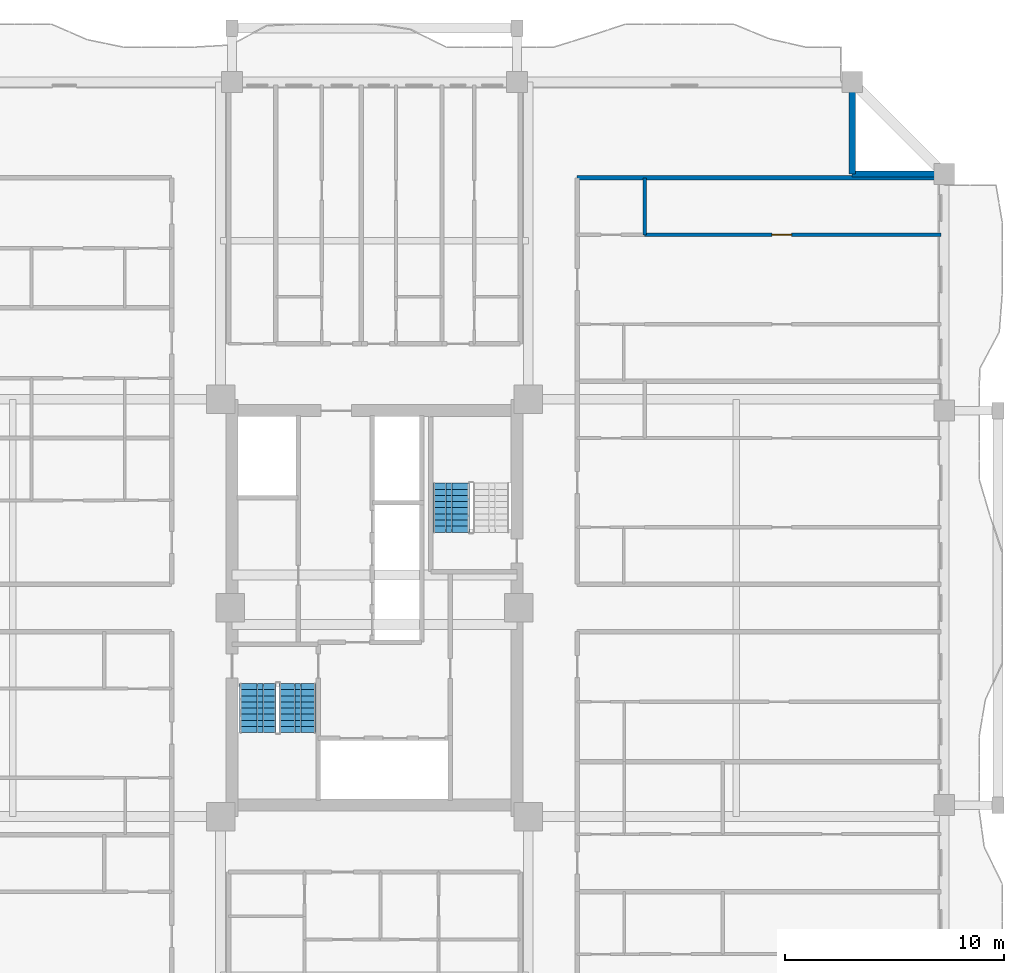
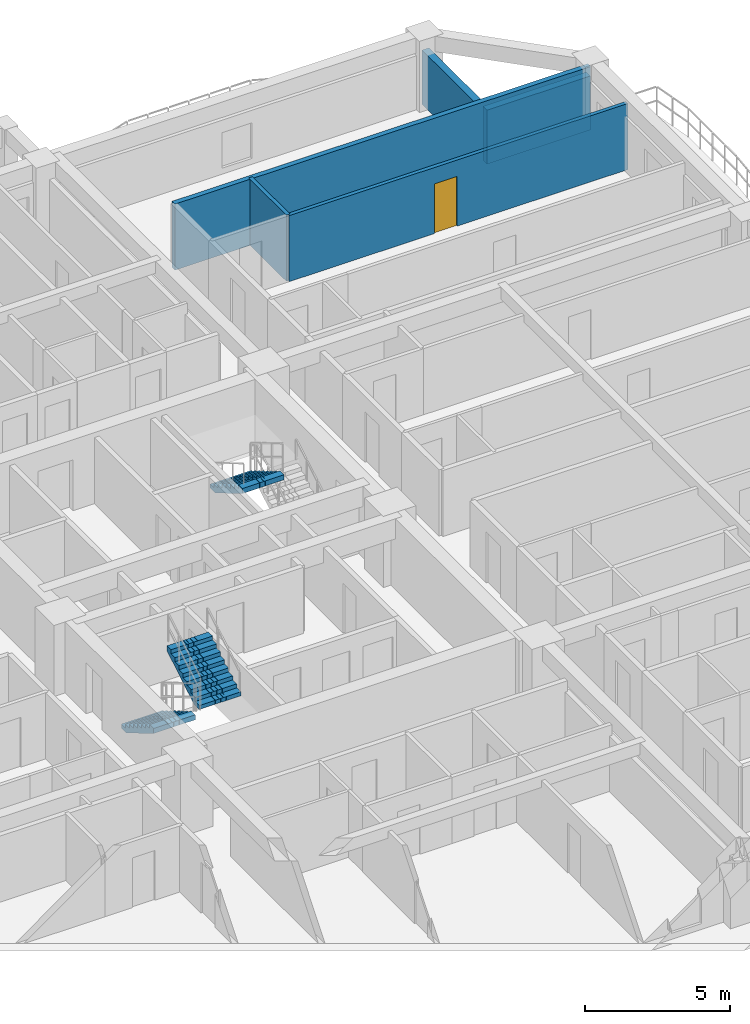
# One storey, part 9 of 14: 5 walls, 3 stair flights, 1 door, 1 opening, 2 elements without a shape of their own.
"""IFC4 building model written with IfcOpenShell, lengths in metres."""

import ifcopenshell
import ifcopenshell.guid

model = None  # the IFC model being written
_history = None  # IfcOwnerHistory: only IFC2X3 demands one
_inside = {}  # id of a spatial element -> (the spatial element, [elements in it])
_under = {}  # id of a project, library or spatial element -> (it, [spatial elements below it])
_declared = {}  # id of a project -> (the project, [libraries it declares])
_typed = {}  # id of a type object -> (the type object, [elements of that type])
_made_of = {}  # id of a material, layer set ... -> (it, [elements and type objects made of it])


def new_model(schema):
    """Start an empty IFC model of exactly this schema.

    Asked for "IFC4X3", IfcOpenShell would pick the latest addendum, in which some entities
    have other attributes; the version numbers below select the first issue.
    IFC2X3 requires an IfcOwnerHistory on every rooted entity: one is made here for all.
    """
    global model, _history
    if schema == "IFC4X3":
        model = ifcopenshell.file(schema_version=(4, 3, 0, 0))
    else:
        model = ifcopenshell.file(schema=schema)
    _inside.clear()
    _under.clear()
    _declared.clear()
    _typed.clear()
    _made_of.clear()
    _history = None
    if model.schema == "IFC2X3":
        org = make("IfcOrganization", Name="unknown")
        user = make(
            "IfcPersonAndOrganization",
            ThePerson=make("IfcPerson", FamilyName="unknown"),
            TheOrganization=org,
        )
        app = make(
            "IfcApplication",
            ApplicationDeveloper=org,
            Version="unknown",
            ApplicationFullName="unknown",
            ApplicationIdentifier="unknown",
        )
        _history = make(
            "IfcOwnerHistory",
            OwningUser=user,
            OwningApplication=app,
            ChangeAction="ADDED",
            CreationDate=0,
        )
    return model


def make(cls, **values):
    """One entity of the class cls with the attributes given. An attribute that is None is left unset."""
    return model.create_entity(
        cls, **{name: value for name, value in values.items() if value is not None}
    )


def rooted(cls, **values):
    """An entity with a GlobalId (a new one), such as an element, a storey or a relation."""
    return make(cls, GlobalId=ifcopenshell.guid.new(), OwnerHistory=_history, **values)


def si_unit(unit_type, name, prefix=None):
    """IfcSIUnit, for example si_unit("LENGTHUNIT", "METRE", prefix="MILLI")."""
    return make("IfcSIUnit", UnitType=unit_type, Prefix=prefix, Name=name)


def assignment(units):
    """IfcUnitAssignment: the units of a project."""
    return None if units is None else make("IfcUnitAssignment", Units=units)


def point(xyz):
    """IfcCartesianPoint."""
    return None if xyz is None else make("IfcCartesianPoint", Coordinates=xyz)


def direction(xyz):
    """IfcDirection."""
    return None if xyz is None else make("IfcDirection", DirectionRatios=xyz)


def frame(location, z_axis=None, x_axis=None):
    """IfcAxis2Placement3D, a coordinate frame: its origin and axes. An axis left out is left unset."""
    return make(
        "IfcAxis2Placement3D",
        Location=point(location),
        Axis=direction(z_axis),
        RefDirection=direction(x_axis),
    )


def frame_2d(location, x_axis=None):
    """IfcAxis2Placement2D, a coordinate frame in the plane: its origin and x axis."""
    return make(
        "IfcAxis2Placement2D", Location=point(location), RefDirection=direction(x_axis)
    )


def origin():
    """The frame at (0, 0, 0) with its axes left unset."""
    return frame((0.0, 0.0, 0.0))


def place(relative_to, where):
    """IfcLocalPlacement: puts the frame where relative to a parent placement (None: the world)."""
    return make(
        "IfcLocalPlacement", PlacementRelTo=relative_to, RelativePlacement=where
    )


def context(
    kind, dimensions, precision=None, world=None, true_north=None, identifier=None
):
    """IfcGeometricRepresentationContext, for example the 3D "Model" context."""
    return make(
        "IfcGeometricRepresentationContext",
        ContextIdentifier=identifier,
        ContextType=kind,
        CoordinateSpaceDimension=dimensions,
        Precision=precision,
        WorldCoordinateSystem=world,
        TrueNorth=true_north,
    )


def subcontext(parent, identifier, kind, view, scale=None):
    """IfcGeometricRepresentationSubContext, for example "Body" below "Model"."""
    return make(
        "IfcGeometricRepresentationSubContext",
        ContextIdentifier=identifier,
        ContextType=kind,
        ParentContext=parent,
        TargetScale=scale,
        TargetView=view,
    )


def project(units=None, contexts=None):
    """IfcProject with its units and contexts."""
    return rooted(
        "IfcProject",
        Name="project",
        RepresentationContexts=contexts,
        UnitsInContext=assignment(units),
    )


def spatial(cls, under=None, at=None, **own):
    """A site, building, storey or space (cls), placed at a placement, below another one or the project."""
    s = rooted(cls, ObjectPlacement=at, **own)
    if under is not None:
        _under.setdefault(under.id(), (under, []))[1].append(s)
    return s


def polyline(points):
    """IfcPolyline through the points."""
    return make("IfcPolyline", Points=[point(p) for p in points])


def profile(cls, at=None, kind="AREA", **sizes):
    """A parametric profile (cls). Its sizes go by their IFC names, for example OverallWidth=200.0."""
    return make(cls, ProfileType=kind, Position=at, **sizes)


def rectangle(**sizes):
    """IfcRectangleProfileDef."""
    return profile("IfcRectangleProfileDef", **sizes)


def outline(outer, holes=None, kind="AREA"):
    """IfcArbitraryClosedProfileDef: a profile drawn as a closed curve; with holes, ...WithVoids."""
    if holes is None:
        return make("IfcArbitraryClosedProfileDef", ProfileType=kind, OuterCurve=outer)
    return make(
        "IfcArbitraryProfileDefWithVoids",
        ProfileType=kind,
        OuterCurve=outer,
        InnerCurves=holes,
    )


def extrude(swept, where, along, depth):
    """IfcExtrudedAreaSolid: the profile swept, set in the frame where, extruded along a direction by depth."""
    return make(
        "IfcExtrudedAreaSolid",
        SweptArea=swept,
        Position=where,
        ExtrudedDirection=direction(along),
        Depth=depth,
    )


def shape(context_of_items, identifier, shape_type, items):
    """IfcShapeRepresentation: the items that make up one representation, for example the "Body"."""
    return make(
        "IfcShapeRepresentation",
        ContextOfItems=context_of_items,
        RepresentationIdentifier=identifier,
        RepresentationType=shape_type,
        Items=items,
    )


def source(mapping_origin, context_of_items, identifier, shape_type, items):
    """IfcRepresentationMap: a shape defined once, which mapped items show again and again."""
    return make(
        "IfcRepresentationMap",
        MappingOrigin=mapping_origin,
        MappedRepresentation=shape(context_of_items, identifier, shape_type, items),
    )


def transform(
    local_origin,
    x_axis=None,
    y_axis=None,
    z_axis=None,
    scale=None,
    scale2=None,
    scale3=None,
    uniform=True,
):
    """IfcCartesianTransformationOperator3D, or its non-uniform kind. x_axis, y_axis, z_axis: its Axis1, 2, 3."""
    if uniform:
        return make(
            "IfcCartesianTransformationOperator3D",
            Axis1=direction(x_axis),
            Axis2=direction(y_axis),
            LocalOrigin=point(local_origin),
            Scale=scale,
            Axis3=direction(z_axis),
        )
    return make(
        "IfcCartesianTransformationOperator3DnonUniform",
        Axis1=direction(x_axis),
        Axis2=direction(y_axis),
        LocalOrigin=point(local_origin),
        Scale=scale,
        Axis3=direction(z_axis),
        Scale2=scale2,
        Scale3=scale3,
    )


def mapped(mapping_source, mapping_target):
    """IfcMappedItem: shows the shape of a source again, moved by a transform."""
    return make(
        "IfcMappedItem", MappingSource=mapping_source, MappingTarget=mapping_target
    )


def material(Name=None, Category=None):
    """IfcMaterial."""
    return make("IfcMaterial", Name=Name, Category=Category)


def layer(
    of_material, thickness, ventilated=None, Name=None, Category=None, Priority=None
):
    """IfcMaterialLayer: one layer of a wall or slab, of a material (None: an air gap)."""
    return make(
        "IfcMaterialLayer",
        Material=of_material,
        LayerThickness=thickness,
        IsVentilated=ventilated,
        Name=Name,
        Category=Category,
        Priority=Priority,
    )


def layer_set(layers, Name=None):
    """IfcMaterialLayerSet."""
    return make("IfcMaterialLayerSet", MaterialLayers=layers, LayerSetName=Name)


def made_of(thing, what):
    """Note that an element or type object is made of a material, layer set ...; save() writes the relation."""
    if what is not None:
        _made_of.setdefault(what.id(), (what, []))[1].append(thing)
    return thing


def type_object(cls, material=None, **own):
    """A type object (cls), such as IfcWallType, which elements share."""
    return made_of(rooted(cls, **own), material)


def element(
    cls,
    number,
    at=None,
    inside=None,
    cuts=None,
    type_object=None,
    material=None,
    context=None,
    identifier="Body",
    shape_type=None,
    held_by="IfcProductDefinitionShape",
    body=None,
    shapes=None,
    **own,
):
    """One element of the class cls, such as IfcWall. Its Tag is "e" and its number.

    at: its placement. inside: the storey or other place that contains it. cuts: it is an
    opening in that element (IfcRelVoidsElement). A single representation is given by context,
    identifier, shape_type and body (its items); several are given by shapes. held_by: the class
    of the entity that holds the representations. save() writes the other relations.
    """
    e = rooted(cls, Tag="e%d" % number, ObjectPlacement=at, **own)
    if body is not None:
        shapes = [shape(context, identifier, shape_type, body)]
    if shapes is not None:
        e.Representation = make(held_by, Representations=shapes)
    if inside is not None:
        _inside.setdefault(inside.id(), (inside, []))[1].append(e)
    if cuts is not None:
        rooted(
            "IfcRelVoidsElement", RelatingBuildingElement=cuts, RelatedOpeningElement=e
        )
    if type_object is not None:
        _typed.setdefault(type_object.id(), (type_object, []))[1].append(e)
    return made_of(e, material)


def fill(opening, filler):
    """IfcRelFillsElement: the door or window that sits in an opening."""
    return rooted(
        "IfcRelFillsElement",
        RelatingOpeningElement=opening,
        RelatedBuildingElement=filler,
    )


def aggregate(whole, parts):
    """IfcRelAggregates: a whole, such as a stair, and the parts it consists of."""
    return rooted("IfcRelAggregates", RelatingObject=whole, RelatedObjects=parts)


def save(model, path):
    """Write the relations noted so far, then the file.

    IfcRelAggregates (storeys below a building ...), IfcRelContainedInSpatialStructure (elements
    in a storey), IfcRelDefinesByType, IfcRelAssociatesMaterial and IfcRelDeclares: one each for
    every whole, place, type object, material and project.
    """
    for whole, parts in _under.values():
        aggregate(whole, parts)
    for where, things in _inside.values():
        rooted(
            "IfcRelContainedInSpatialStructure",
            RelatedElements=things,
            RelatingStructure=where,
        )
    for kind, things in _typed.values():
        rooted("IfcRelDefinesByType", RelatedObjects=things, RelatingType=kind)
    for what, things in _made_of.values():
        rooted("IfcRelAssociatesMaterial", RelatedObjects=things, RelatingMaterial=what)
    for by, libraries in _declared.values():
        rooted("IfcRelDeclares", RelatingContext=by, RelatedDefinitions=libraries)
    model.write(path)


model = new_model("IFC4")

# Units and contexts
model_context = context("Model", 3, precision=1e-05, world=origin(), true_north=direction((0.0, 1.0)))
body_context = subcontext(model_context, "Body", "Model", "MODEL_VIEW")
ifc_project = project(units=[si_unit("LENGTHUNIT", "METRE"), si_unit("AREAUNIT", "SQUARE_METRE"), si_unit("VOLUMEUNIT", "CUBIC_METRE"), si_unit("PLANEANGLEUNIT", "RADIAN"), si_unit("MASSUNIT", "GRAM", prefix="KILO")], contexts=[model_context])

# Site, building, storey
site_placement = place(None, origin())
site = spatial("IfcSite", under=ifc_project, at=site_placement, CompositionType="ELEMENT")
building_placement = place(site_placement, origin())
building = spatial("IfcBuilding", under=site, at=building_placement, Name="Saelheon Loggia Tower", CompositionType="ELEMENT")
storey_placement = place(building_placement, frame((0.0, 0.0, 113.85009765625)))
storey = spatial("IfcBuildingStorey", under=building, at=storey_placement, Name="L36", CompositionType="ELEMENT", Elevation=113.85009765625)

# Walls
ifc_material_1 = material(Name="Architectural Precast Concrete C40/50", Category="concrete")
ifc_layer_1 = layer(ifc_material_1, 0.280029296875)
ifc_layer_set_1 = layer_set([ifc_layer_1], Name="Architectural Precast Concrete C40/50")
wall_type_1 = type_object("IfcWallType", Name="Wall_Ext_Loggia_280", PredefinedType="SOLIDWALL", material=ifc_layer_set_1)
for number, where, z_axis, x_axis, name in (
    (1, (59.800048828125, 46.800048828125, 0.0), (0.0, 0.0, 1.0), (0.0, 1.0, 0.0), "L36 Corner Notch Precast Wall NE1"),
    (2, (59.800048828125, 46.800048828125, 0.0), (0.0, 0.0, 1.0), (1.0, 0.0, 0.0), "L36 Corner Notch Precast Wall NE2"),
):
    element("IfcWall", number, at=place(storey_placement, frame(where, z_axis=z_axis, x_axis=x_axis)), inside=storey, type_object=wall_type_1, Name=name, PredefinedType="SOLIDWALL", context=body_context, shape_type="SweptSolid", body=[
        extrude(rectangle(XDim=4.119873046875, YDim=0.280029296875, at=frame_2d((2.06005859375, 0.0))), origin(), (0.0, 0.0, 1.0), 2.27978515625),
    ])
ifc_material_2 = material(Name="Lightweight Autoclaved Aerated Concrete Block and Acoustic Gypsum", Category="concrete")
ifc_layer_2 = layer(ifc_material_2, 0.14990234375)
ifc_layer_set_2 = layer_set([ifc_layer_2], Name="Lightweight Autoclaved Aerated Concrete Block and Acoustic Gypsum")
wall_type_2 = type_object("IfcWallType", Name="Wall_Part_150", PredefinedType="PARTITIONING", material=ifc_layer_set_2)
wall_1_placement = place(storey_placement, frame((50.330078125, 44.02001953125, 0.0), z_axis=(0.0, 0.0, 1.0), x_axis=(0.0, 1.0, 0.0)))
element("IfcWall", 3, at=wall_1_placement, inside=storey, type_object=wall_type_2, Name="L36 EN Partition V18", PredefinedType="PARTITIONING", context=body_context, shape_type="SweptSolid", body=[
    extrude(rectangle(XDim=2.60009765625, YDim=0.14990234375, at=frame_2d((1.300048828125, 0.0))), origin(), (0.0, 0.0, 1.0), 2.789794921875),
])

# Wall, opening, door
wall_2_placement = place(storey_placement, frame((50.330078125, 44.02001953125, 0.0), z_axis=(0.0, 0.0, 1.0), x_axis=(1.0, 0.0, 0.0)))
wall_2 = element("IfcWall", 4, at=wall_2_placement, inside=storey, type_object=wall_type_2, Name="L36 EN Partition U23", PredefinedType="PARTITIONING", context=body_context, shape_type="SweptSolid", body=[
    extrude(rectangle(XDim=13.52001953125, YDim=0.14990234375, at=frame_2d((6.760009765625, 0.0))), origin(), (0.0, 0.0, 1.0), 2.789794921875),
])
opening_placement = place(wall_2_placement, frame((5.80419921875, 0.0, 0.0)))
opening = element("IfcOpeningElement", 5, at=opening_placement, cuts=wall_2, Name="Opening D-IN2", PredefinedType="OPENING", context=body_context, shape_type="SweptSolid", body=[
    extrude(rectangle(XDim=0.89990234375, YDim=2.10009765625, at=frame_2d((0.449951171875, 1.050048828125))), frame((0.0, 0.0869140625, 0.0), z_axis=(0.0, -1.0, 0.0), x_axis=(1.0, 0.0, 0.0)), (0.0, 0.0, 1.0), 0.173828125),
])
ifc_material_3 = material(Name="Engineered Oak Flush Door", Category="timber")
door_type = type_object("IfcDoorType", Name="Door_Int_900", OperationType="NOTDEFINED", PredefinedType="DOOR", material=ifc_material_3)
shared_shape = source(origin(), body_context, "Body", "SweptSolid", [
    extrude(rectangle(XDim=0.89990234375, YDim=2.10009765625, at=frame_2d((0.449951171875, 1.050048828125))), frame((0.0, 0.02490234375, 0.0), z_axis=(0.0, -1.0, 0.0), x_axis=(1.0, 0.0, 0.0)), (0.0, 0.0, 1.0), 0.050048828125),
])
door_placement = place(opening_placement, origin())
door = element("IfcDoor", 6, at=door_placement, inside=storey, type_object=door_type, Name="Unit U14 Bedroom 1 Door", OperationType="SINGLE_SWING_LEFT", OverallHeight=2.10009765625, OverallWidth=0.89990234375, PredefinedType="DOOR", context=body_context, shape_type="MappedRepresentation", body=[
    mapped(shared_shape, transform((0.0, 0.0, 0.0), scale=1.0)),
])
fill(opening, door)

# Wall
ifc_material_4 = material(Name="Double Acoustic Stud and Fireboard Partition", Category="gypsum")
ifc_layer_3 = layer(ifc_material_4, 0.199951171875)
ifc_layer_set_3 = layer_set([ifc_layer_3], Name="Double Acoustic Stud and Fireboard Partition")
wall_type_3 = type_object("IfcWallType", Name="Wall_Party_200", PredefinedType="PARTITIONING", material=ifc_layer_set_3)
wall_3_placement = place(storey_placement, frame((47.25, 46.6201171875, 0.0), z_axis=(0.0, 0.0, 1.0), x_axis=(1.0, 0.0, 0.0)))
element("IfcWall", 7, at=wall_3_placement, inside=storey, type_object=wall_type_3, Name="L36 EN Partition U02", PredefinedType="PARTITIONING", context=body_context, shape_type="SweptSolid", body=[
    extrude(rectangle(XDim=16.60009765625, YDim=0.199951171875, at=frame_2d((8.300048828125, 0.0))), origin(), (0.0, 0.0, 1.0), 2.789794921875),
])

# Stair, stair flights
ifc_material_5 = material(Name="Concrete C40/50", Category="concrete")
stair_type = type_object("IfcStairType", Name="Stair_Escape_Core", PredefinedType="HALF_TURN_STAIR", material=ifc_material_5)
stair_1_placement = place(storey_placement, origin())
stair_1 = element("IfcStair", 8, at=stair_1_placement, inside=storey, type_object=stair_type, Name="L36 Special Escape Stair ST1", PredefinedType="HALF_TURN_STAIR")
stair_flight_type = type_object("IfcStairFlightType", Name="StairFlight_Tower_1660", PredefinedType="STRAIGHT", material=ifc_material_5)
stair_flight_1_placement = place(storey_placement, frame((32.679931640625, 23.550048828125, 0.0), z_axis=(0.0, 0.0, 1.0), x_axis=(0.0, -1.0, 0.0)))
stair_flight_1 = element("IfcStairFlight", 9, at=stair_flight_1_placement, type_object=stair_flight_type, Name="ST1 flight 1", NumberOfRisers=9, NumberOfTreads=8, PredefinedType="STRAIGHT", RiserHeight=0.166666667, TreadLength=0.28, context=body_context, shape_type="SweptSolid", body=[
    extrude(outline(polyline([(0.0, 0.0), (0.0, 0.166748046875), (0.280029296875, 0.166748046875), (0.280029296875, 0.333251953125), (0.56005859375, 0.333251953125), (0.56005859375, 0.5), (0.840087890625, 0.5), (0.840087890625, 0.666748046875), (1.1201171875, 0.666748046875), (1.1201171875, 0.833251953125), (1.39990234375, 0.833251953125), (1.39990234375, 1.0), (1.679931640625, 1.0), (1.679931640625, 1.166748046875), (1.9599609375, 1.166748046875), (1.9599609375, 1.333251953125), (2.239990234375, 1.333251953125), (2.239990234375, 1.5), (2.239990234375, 1.1240234375), (0.351806640625, 0.0), (0.0, 0.0)])), frame((0.0, -0.2490234375, 0.0), z_axis=(0.0, -1.0, 0.0), x_axis=(1.0, 0.0, 0.0)), (0.0, 0.0, 1.0), 0.5810546875),
    extrude(outline(polyline([(0.0, 0.0), (0.0, 0.166748046875), (0.280029296875, 0.166748046875), (0.280029296875, 0.333251953125), (0.56005859375, 0.333251953125), (0.56005859375, 0.5), (0.840087890625, 0.5), (0.840087890625, 0.666748046875), (1.1201171875, 0.666748046875), (1.1201171875, 0.833251953125), (1.39990234375, 0.833251953125), (1.39990234375, 1.0), (1.679931640625, 1.0), (1.679931640625, 1.166748046875), (1.9599609375, 1.166748046875), (1.9599609375, 1.333251953125), (2.239990234375, 1.333251953125), (2.239990234375, 1.5), (2.239990234375, 1.1240234375), (0.351806640625, 0.0), (0.0, 0.0)])), frame((0.0, -0.194091796875, 0.0), z_axis=(0.0, -1.0, 0.0), x_axis=(1.0, 0.0, 0.0)), (0.0, 0.0, 1.0), 0.0498046875),
    extrude(outline(polyline([(0.0, 0.0), (0.0, 0.166748046875), (0.280029296875, 0.166748046875), (0.280029296875, 0.333251953125), (0.56005859375, 0.333251953125), (0.56005859375, 0.5), (0.840087890625, 0.5), (0.840087890625, 0.666748046875), (1.1201171875, 0.666748046875), (1.1201171875, 0.833251953125), (1.39990234375, 0.833251953125), (1.39990234375, 1.0), (1.679931640625, 1.0), (1.679931640625, 1.166748046875), (1.9599609375, 1.166748046875), (1.9599609375, 1.333251953125), (2.239990234375, 1.333251953125), (2.239990234375, 1.5), (2.239990234375, 1.1240234375), (0.351806640625, 0.0), (0.0, 0.0)])), frame((0.0, -0.139404296875, 0.0), z_axis=(0.0, -1.0, 0.0), x_axis=(1.0, 0.0, 0.0)), (0.0, 0.0, 1.0), 0.0498046875),
    extrude(outline(polyline([(0.0, 0.0), (0.0, 0.166748046875), (0.280029296875, 0.166748046875), (0.280029296875, 0.333251953125), (0.56005859375, 0.333251953125), (0.56005859375, 0.5), (0.840087890625, 0.5), (0.840087890625, 0.666748046875), (1.1201171875, 0.666748046875), (1.1201171875, 0.833251953125), (1.39990234375, 0.833251953125), (1.39990234375, 1.0), (1.679931640625, 1.0), (1.679931640625, 1.166748046875), (1.9599609375, 1.166748046875), (1.9599609375, 1.333251953125), (2.239990234375, 1.333251953125), (2.239990234375, 1.5), (2.239990234375, 1.1240234375), (0.351806640625, 0.0), (0.0, 0.0)])), frame((0.0, -0.084716796875, 0.0), z_axis=(0.0, -1.0, 0.0), x_axis=(1.0, 0.0, 0.0)), (0.0, 0.0, 1.0), 0.0498046875),
    extrude(outline(polyline([(0.0, 0.0), (0.0, 0.166748046875), (0.280029296875, 0.166748046875), (0.280029296875, 0.333251953125), (0.56005859375, 0.333251953125), (0.56005859375, 0.5), (0.840087890625, 0.5), (0.840087890625, 0.666748046875), (1.1201171875, 0.666748046875), (1.1201171875, 0.833251953125), (1.39990234375, 0.833251953125), (1.39990234375, 1.0), (1.679931640625, 1.0), (1.679931640625, 1.166748046875), (1.9599609375, 1.166748046875), (1.9599609375, 1.333251953125), (2.239990234375, 1.333251953125), (2.239990234375, 1.5), (2.239990234375, 1.1240234375), (0.351806640625, 0.0), (0.0, 0.0)])), frame((0.0, -0.02978515625, 0.0), z_axis=(0.0, -1.0, 0.0), x_axis=(1.0, 0.0, 0.0)), (0.0, 0.0, 1.0), 0.0498046875),
    extrude(outline(polyline([(0.0, 0.0), (0.0, 0.166748046875), (0.280029296875, 0.166748046875), (0.280029296875, 0.333251953125), (0.56005859375, 0.333251953125), (0.56005859375, 0.5), (0.840087890625, 0.5), (0.840087890625, 0.666748046875), (1.1201171875, 0.666748046875), (1.1201171875, 0.833251953125), (1.39990234375, 0.833251953125), (1.39990234375, 1.0), (1.679931640625, 1.0), (1.679931640625, 1.166748046875), (1.9599609375, 1.166748046875), (1.9599609375, 1.333251953125), (2.239990234375, 1.333251953125), (2.239990234375, 1.5), (2.239990234375, 1.1240234375), (0.351806640625, 0.0), (0.0, 0.0)])), frame((0.0, 0.02490234375, 0.0), z_axis=(0.0, -1.0, 0.0), x_axis=(1.0, 0.0, 0.0)), (0.0, 0.0, 1.0), 0.0498046875),
    extrude(outline(polyline([(0.0, 0.0), (0.0, 0.166748046875), (0.280029296875, 0.166748046875), (0.280029296875, 0.333251953125), (0.56005859375, 0.333251953125), (0.56005859375, 0.5), (0.840087890625, 0.5), (0.840087890625, 0.666748046875), (1.1201171875, 0.666748046875), (1.1201171875, 0.833251953125), (1.39990234375, 0.833251953125), (1.39990234375, 1.0), (1.679931640625, 1.0), (1.679931640625, 1.166748046875), (1.9599609375, 1.166748046875), (1.9599609375, 1.333251953125), (2.239990234375, 1.333251953125), (2.239990234375, 1.5), (2.239990234375, 1.1240234375), (0.351806640625, 0.0), (0.0, 0.0)])), frame((0.0, 0.07958984375, 0.0), z_axis=(0.0, -1.0, 0.0), x_axis=(1.0, 0.0, 0.0)), (0.0, 0.0, 1.0), 0.0498046875),
    extrude(outline(polyline([(0.0, 0.0), (0.0, 0.166748046875), (0.280029296875, 0.166748046875), (0.280029296875, 0.333251953125), (0.56005859375, 0.333251953125), (0.56005859375, 0.5), (0.840087890625, 0.5), (0.840087890625, 0.666748046875), (1.1201171875, 0.666748046875), (1.1201171875, 0.833251953125), (1.39990234375, 0.833251953125), (1.39990234375, 1.0), (1.679931640625, 1.0), (1.679931640625, 1.166748046875), (1.9599609375, 1.166748046875), (1.9599609375, 1.333251953125), (2.239990234375, 1.333251953125), (2.239990234375, 1.5), (2.239990234375, 1.1240234375), (0.351806640625, 0.0), (0.0, 0.0)])), frame((0.0, 0.134521484375, 0.0), z_axis=(0.0, -1.0, 0.0), x_axis=(1.0, 0.0, 0.0)), (0.0, 0.0, 1.0), 0.0498046875),
    extrude(outline(polyline([(0.0, 0.0), (0.0, 0.166748046875), (0.280029296875, 0.166748046875), (0.280029296875, 0.333251953125), (0.56005859375, 0.333251953125), (0.56005859375, 0.5), (0.840087890625, 0.5), (0.840087890625, 0.666748046875), (1.1201171875, 0.666748046875), (1.1201171875, 0.833251953125), (1.39990234375, 0.833251953125), (1.39990234375, 1.0), (1.679931640625, 1.0), (1.679931640625, 1.166748046875), (1.9599609375, 1.166748046875), (1.9599609375, 1.333251953125), (2.239990234375, 1.333251953125), (2.239990234375, 1.5), (2.239990234375, 1.1240234375), (0.351806640625, 0.0), (0.0, 0.0)])), frame((0.0, 0.189208984375, 0.0), z_axis=(0.0, -1.0, 0.0), x_axis=(1.0, 0.0, 0.0)), (0.0, 0.0, 1.0), 0.0498046875),
    extrude(outline(polyline([(0.0, 0.0), (0.0, 0.166748046875), (0.280029296875, 0.166748046875), (0.280029296875, 0.333251953125), (0.56005859375, 0.333251953125), (0.56005859375, 0.5), (0.840087890625, 0.5), (0.840087890625, 0.666748046875), (1.1201171875, 0.666748046875), (1.1201171875, 0.833251953125), (1.39990234375, 0.833251953125), (1.39990234375, 1.0), (1.679931640625, 1.0), (1.679931640625, 1.166748046875), (1.9599609375, 1.166748046875), (1.9599609375, 1.333251953125), (2.239990234375, 1.333251953125), (2.239990234375, 1.5), (2.239990234375, 1.1240234375), (0.351806640625, 0.0), (0.0, 0.0)])), frame((0.0, 0.243896484375, 0.0), z_axis=(0.0, -1.0, 0.0), x_axis=(1.0, 0.0, 0.0)), (0.0, 0.0, 1.0), 0.0498046875),
    extrude(outline(polyline([(0.0, 0.0), (0.0, 0.166748046875), (0.280029296875, 0.166748046875), (0.280029296875, 0.333251953125), (0.56005859375, 0.333251953125), (0.56005859375, 0.5), (0.840087890625, 0.5), (0.840087890625, 0.666748046875), (1.1201171875, 0.666748046875), (1.1201171875, 0.833251953125), (1.39990234375, 0.833251953125), (1.39990234375, 1.0), (1.679931640625, 1.0), (1.679931640625, 1.166748046875), (1.9599609375, 1.166748046875), (1.9599609375, 1.333251953125), (2.239990234375, 1.333251953125), (2.239990234375, 1.5), (2.239990234375, 1.1240234375), (0.351806640625, 0.0), (0.0, 0.0)])), frame((0.0, 0.830078125, 0.0), z_axis=(0.0, -1.0, 0.0), x_axis=(1.0, 0.0, 0.0)), (0.0, 0.0, 1.0), 0.5810546875),
])
stair_flight_2_placement = place(storey_placement, frame((34.5, 21.31005859375, 1.5), z_axis=(0.0, 0.0, 1.0), x_axis=(0.0, 1.0, 0.0)))
stair_flight_2 = element("IfcStairFlight", 10, at=stair_flight_2_placement, type_object=stair_flight_type, Name="ST1 flight 2", NumberOfRisers=9, NumberOfTreads=8, PredefinedType="STRAIGHT", RiserHeight=0.166666667, TreadLength=0.28, context=body_context, shape_type="SweptSolid", body=[
    extrude(outline(polyline([(0.0, 0.0), (0.0, 0.166748046875), (0.280029296875, 0.166748046875), (0.280029296875, 0.333251953125), (0.56005859375, 0.333251953125), (0.56005859375, 0.5), (0.840087890625, 0.5), (0.840087890625, 0.666748046875), (1.1201171875, 0.666748046875), (1.1201171875, 0.833251953125), (1.39990234375, 0.833251953125), (1.39990234375, 1.0), (1.679931640625, 1.0), (1.679931640625, 1.166748046875), (1.9599609375, 1.166748046875), (1.9599609375, 1.333251953125), (2.239990234375, 1.333251953125), (2.239990234375, 1.5), (2.239990234375, 1.1240234375), (0.351806640625, 0.0), (0.0, 0.0)])), frame((0.0, -0.2490234375, 0.0), z_axis=(0.0, -1.0, 0.0), x_axis=(1.0, 0.0, 0.0)), (0.0, 0.0, 1.0), 0.5810546875),
    extrude(outline(polyline([(0.0, 0.0), (0.0, 0.166748046875), (0.280029296875, 0.166748046875), (0.280029296875, 0.333251953125), (0.56005859375, 0.333251953125), (0.56005859375, 0.5), (0.840087890625, 0.5), (0.840087890625, 0.666748046875), (1.1201171875, 0.666748046875), (1.1201171875, 0.833251953125), (1.39990234375, 0.833251953125), (1.39990234375, 1.0), (1.679931640625, 1.0), (1.679931640625, 1.166748046875), (1.9599609375, 1.166748046875), (1.9599609375, 1.333251953125), (2.239990234375, 1.333251953125), (2.239990234375, 1.5), (2.239990234375, 1.1240234375), (0.351806640625, 0.0), (0.0, 0.0)])), frame((0.0, -0.194091796875, 0.0), z_axis=(0.0, -1.0, 0.0), x_axis=(1.0, 0.0, 0.0)), (0.0, 0.0, 1.0), 0.0498046875),
    extrude(outline(polyline([(0.0, 0.0), (0.0, 0.166748046875), (0.280029296875, 0.166748046875), (0.280029296875, 0.333251953125), (0.56005859375, 0.333251953125), (0.56005859375, 0.5), (0.840087890625, 0.5), (0.840087890625, 0.666748046875), (1.1201171875, 0.666748046875), (1.1201171875, 0.833251953125), (1.39990234375, 0.833251953125), (1.39990234375, 1.0), (1.679931640625, 1.0), (1.679931640625, 1.166748046875), (1.9599609375, 1.166748046875), (1.9599609375, 1.333251953125), (2.239990234375, 1.333251953125), (2.239990234375, 1.5), (2.239990234375, 1.1240234375), (0.351806640625, 0.0), (0.0, 0.0)])), frame((0.0, -0.139404296875, 0.0), z_axis=(0.0, -1.0, 0.0), x_axis=(1.0, 0.0, 0.0)), (0.0, 0.0, 1.0), 0.0498046875),
    extrude(outline(polyline([(0.0, 0.0), (0.0, 0.166748046875), (0.280029296875, 0.166748046875), (0.280029296875, 0.333251953125), (0.56005859375, 0.333251953125), (0.56005859375, 0.5), (0.840087890625, 0.5), (0.840087890625, 0.666748046875), (1.1201171875, 0.666748046875), (1.1201171875, 0.833251953125), (1.39990234375, 0.833251953125), (1.39990234375, 1.0), (1.679931640625, 1.0), (1.679931640625, 1.166748046875), (1.9599609375, 1.166748046875), (1.9599609375, 1.333251953125), (2.239990234375, 1.333251953125), (2.239990234375, 1.5), (2.239990234375, 1.1240234375), (0.351806640625, 0.0), (0.0, 0.0)])), frame((0.0, -0.084716796875, 0.0), z_axis=(0.0, -1.0, 0.0), x_axis=(1.0, 0.0, 0.0)), (0.0, 0.0, 1.0), 0.0498046875),
    extrude(outline(polyline([(0.0, 0.0), (0.0, 0.166748046875), (0.280029296875, 0.166748046875), (0.280029296875, 0.333251953125), (0.56005859375, 0.333251953125), (0.56005859375, 0.5), (0.840087890625, 0.5), (0.840087890625, 0.666748046875), (1.1201171875, 0.666748046875), (1.1201171875, 0.833251953125), (1.39990234375, 0.833251953125), (1.39990234375, 1.0), (1.679931640625, 1.0), (1.679931640625, 1.166748046875), (1.9599609375, 1.166748046875), (1.9599609375, 1.333251953125), (2.239990234375, 1.333251953125), (2.239990234375, 1.5), (2.239990234375, 1.1240234375), (0.351806640625, 0.0), (0.0, 0.0)])), frame((0.0, -0.02978515625, 0.0), z_axis=(0.0, -1.0, 0.0), x_axis=(1.0, 0.0, 0.0)), (0.0, 0.0, 1.0), 0.0498046875),
    extrude(outline(polyline([(0.0, 0.0), (0.0, 0.166748046875), (0.280029296875, 0.166748046875), (0.280029296875, 0.333251953125), (0.56005859375, 0.333251953125), (0.56005859375, 0.5), (0.840087890625, 0.5), (0.840087890625, 0.666748046875), (1.1201171875, 0.666748046875), (1.1201171875, 0.833251953125), (1.39990234375, 0.833251953125), (1.39990234375, 1.0), (1.679931640625, 1.0), (1.679931640625, 1.166748046875), (1.9599609375, 1.166748046875), (1.9599609375, 1.333251953125), (2.239990234375, 1.333251953125), (2.239990234375, 1.5), (2.239990234375, 1.1240234375), (0.351806640625, 0.0), (0.0, 0.0)])), frame((0.0, 0.02490234375, 0.0), z_axis=(0.0, -1.0, 0.0), x_axis=(1.0, 0.0, 0.0)), (0.0, 0.0, 1.0), 0.0498046875),
    extrude(outline(polyline([(0.0, 0.0), (0.0, 0.166748046875), (0.280029296875, 0.166748046875), (0.280029296875, 0.333251953125), (0.56005859375, 0.333251953125), (0.56005859375, 0.5), (0.840087890625, 0.5), (0.840087890625, 0.666748046875), (1.1201171875, 0.666748046875), (1.1201171875, 0.833251953125), (1.39990234375, 0.833251953125), (1.39990234375, 1.0), (1.679931640625, 1.0), (1.679931640625, 1.166748046875), (1.9599609375, 1.166748046875), (1.9599609375, 1.333251953125), (2.239990234375, 1.333251953125), (2.239990234375, 1.5), (2.239990234375, 1.1240234375), (0.351806640625, 0.0), (0.0, 0.0)])), frame((0.0, 0.07958984375, 0.0), z_axis=(0.0, -1.0, 0.0), x_axis=(1.0, 0.0, 0.0)), (0.0, 0.0, 1.0), 0.0498046875),
    extrude(outline(polyline([(0.0, 0.0), (0.0, 0.166748046875), (0.280029296875, 0.166748046875), (0.280029296875, 0.333251953125), (0.56005859375, 0.333251953125), (0.56005859375, 0.5), (0.840087890625, 0.5), (0.840087890625, 0.666748046875), (1.1201171875, 0.666748046875), (1.1201171875, 0.833251953125), (1.39990234375, 0.833251953125), (1.39990234375, 1.0), (1.679931640625, 1.0), (1.679931640625, 1.166748046875), (1.9599609375, 1.166748046875), (1.9599609375, 1.333251953125), (2.239990234375, 1.333251953125), (2.239990234375, 1.5), (2.239990234375, 1.1240234375), (0.351806640625, 0.0), (0.0, 0.0)])), frame((0.0, 0.134521484375, 0.0), z_axis=(0.0, -1.0, 0.0), x_axis=(1.0, 0.0, 0.0)), (0.0, 0.0, 1.0), 0.0498046875),
    extrude(outline(polyline([(0.0, 0.0), (0.0, 0.166748046875), (0.280029296875, 0.166748046875), (0.280029296875, 0.333251953125), (0.56005859375, 0.333251953125), (0.56005859375, 0.5), (0.840087890625, 0.5), (0.840087890625, 0.666748046875), (1.1201171875, 0.666748046875), (1.1201171875, 0.833251953125), (1.39990234375, 0.833251953125), (1.39990234375, 1.0), (1.679931640625, 1.0), (1.679931640625, 1.166748046875), (1.9599609375, 1.166748046875), (1.9599609375, 1.333251953125), (2.239990234375, 1.333251953125), (2.239990234375, 1.5), (2.239990234375, 1.1240234375), (0.351806640625, 0.0), (0.0, 0.0)])), frame((0.0, 0.189208984375, 0.0), z_axis=(0.0, -1.0, 0.0), x_axis=(1.0, 0.0, 0.0)), (0.0, 0.0, 1.0), 0.0498046875),
    extrude(outline(polyline([(0.0, 0.0), (0.0, 0.166748046875), (0.280029296875, 0.166748046875), (0.280029296875, 0.333251953125), (0.56005859375, 0.333251953125), (0.56005859375, 0.5), (0.840087890625, 0.5), (0.840087890625, 0.666748046875), (1.1201171875, 0.666748046875), (1.1201171875, 0.833251953125), (1.39990234375, 0.833251953125), (1.39990234375, 1.0), (1.679931640625, 1.0), (1.679931640625, 1.166748046875), (1.9599609375, 1.166748046875), (1.9599609375, 1.333251953125), (2.239990234375, 1.333251953125), (2.239990234375, 1.5), (2.239990234375, 1.1240234375), (0.351806640625, 0.0), (0.0, 0.0)])), frame((0.0, 0.243896484375, 0.0), z_axis=(0.0, -1.0, 0.0), x_axis=(1.0, 0.0, 0.0)), (0.0, 0.0, 1.0), 0.0498046875),
    extrude(outline(polyline([(0.0, 0.0), (0.0, 0.166748046875), (0.280029296875, 0.166748046875), (0.280029296875, 0.333251953125), (0.56005859375, 0.333251953125), (0.56005859375, 0.5), (0.840087890625, 0.5), (0.840087890625, 0.666748046875), (1.1201171875, 0.666748046875), (1.1201171875, 0.833251953125), (1.39990234375, 0.833251953125), (1.39990234375, 1.0), (1.679931640625, 1.0), (1.679931640625, 1.166748046875), (1.9599609375, 1.166748046875), (1.9599609375, 1.333251953125), (2.239990234375, 1.333251953125), (2.239990234375, 1.5), (2.239990234375, 1.1240234375), (0.351806640625, 0.0), (0.0, 0.0)])), frame((0.0, 0.830078125, 0.0), z_axis=(0.0, -1.0, 0.0), x_axis=(1.0, 0.0, 0.0)), (0.0, 0.0, 1.0), 0.5810546875),
])
aggregate(stair_1, [stair_flight_1, stair_flight_2])

# Stair, stair flight
stair_2_placement = place(storey_placement, origin())
stair_2 = element("IfcStair", 11, at=stair_2_placement, inside=storey, type_object=stair_type, Name="L36 Special Escape Stair ST2", PredefinedType="HALF_TURN_STAIR")
stair_flight_3_placement = place(storey_placement, frame((41.5, 32.68994140625, 1.5), z_axis=(0.0, 0.0, 1.0), x_axis=(0.0, -1.0, 0.0)))
stair_flight_3 = element("IfcStairFlight", 12, at=stair_flight_3_placement, type_object=stair_flight_type, Name="ST2 flight 2", NumberOfRisers=9, NumberOfTreads=8, PredefinedType="STRAIGHT", RiserHeight=0.166666667, TreadLength=0.28, context=body_context, shape_type="SweptSolid", body=[
    extrude(outline(polyline([(0.0, 0.0), (0.0, 0.166748046875), (0.280029296875, 0.166748046875), (0.280029296875, 0.333251953125), (0.56005859375, 0.333251953125), (0.56005859375, 0.5), (0.840087890625, 0.5), (0.840087890625, 0.666748046875), (1.1201171875, 0.666748046875), (1.1201171875, 0.833251953125), (1.39990234375, 0.833251953125), (1.39990234375, 1.0), (1.679931640625, 1.0), (1.679931640625, 1.166748046875), (1.9599609375, 1.166748046875), (1.9599609375, 1.333251953125), (2.239990234375, 1.333251953125), (2.239990234375, 1.5), (2.239990234375, 1.1240234375), (0.351806640625, 0.0), (0.0, 0.0)])), frame((0.0, -0.2490234375, 0.0), z_axis=(0.0, -1.0, 0.0), x_axis=(1.0, 0.0, 0.0)), (0.0, 0.0, 1.0), 0.5810546875),
    extrude(outline(polyline([(0.0, 0.0), (0.0, 0.166748046875), (0.280029296875, 0.166748046875), (0.280029296875, 0.333251953125), (0.56005859375, 0.333251953125), (0.56005859375, 0.5), (0.840087890625, 0.5), (0.840087890625, 0.666748046875), (1.1201171875, 0.666748046875), (1.1201171875, 0.833251953125), (1.39990234375, 0.833251953125), (1.39990234375, 1.0), (1.679931640625, 1.0), (1.679931640625, 1.166748046875), (1.9599609375, 1.166748046875), (1.9599609375, 1.333251953125), (2.239990234375, 1.333251953125), (2.239990234375, 1.5), (2.239990234375, 1.1240234375), (0.351806640625, 0.0), (0.0, 0.0)])), frame((0.0, -0.194091796875, 0.0), z_axis=(0.0, -1.0, 0.0), x_axis=(1.0, 0.0, 0.0)), (0.0, 0.0, 1.0), 0.0498046875),
    extrude(outline(polyline([(0.0, 0.0), (0.0, 0.166748046875), (0.280029296875, 0.166748046875), (0.280029296875, 0.333251953125), (0.56005859375, 0.333251953125), (0.56005859375, 0.5), (0.840087890625, 0.5), (0.840087890625, 0.666748046875), (1.1201171875, 0.666748046875), (1.1201171875, 0.833251953125), (1.39990234375, 0.833251953125), (1.39990234375, 1.0), (1.679931640625, 1.0), (1.679931640625, 1.166748046875), (1.9599609375, 1.166748046875), (1.9599609375, 1.333251953125), (2.239990234375, 1.333251953125), (2.239990234375, 1.5), (2.239990234375, 1.1240234375), (0.351806640625, 0.0), (0.0, 0.0)])), frame((0.0, -0.139404296875, 0.0), z_axis=(0.0, -1.0, 0.0), x_axis=(1.0, 0.0, 0.0)), (0.0, 0.0, 1.0), 0.0498046875),
    extrude(outline(polyline([(0.0, 0.0), (0.0, 0.166748046875), (0.280029296875, 0.166748046875), (0.280029296875, 0.333251953125), (0.56005859375, 0.333251953125), (0.56005859375, 0.5), (0.840087890625, 0.5), (0.840087890625, 0.666748046875), (1.1201171875, 0.666748046875), (1.1201171875, 0.833251953125), (1.39990234375, 0.833251953125), (1.39990234375, 1.0), (1.679931640625, 1.0), (1.679931640625, 1.166748046875), (1.9599609375, 1.166748046875), (1.9599609375, 1.333251953125), (2.239990234375, 1.333251953125), (2.239990234375, 1.5), (2.239990234375, 1.1240234375), (0.351806640625, 0.0), (0.0, 0.0)])), frame((0.0, -0.084716796875, 0.0), z_axis=(0.0, -1.0, 0.0), x_axis=(1.0, 0.0, 0.0)), (0.0, 0.0, 1.0), 0.0498046875),
    extrude(outline(polyline([(0.0, 0.0), (0.0, 0.166748046875), (0.280029296875, 0.166748046875), (0.280029296875, 0.333251953125), (0.56005859375, 0.333251953125), (0.56005859375, 0.5), (0.840087890625, 0.5), (0.840087890625, 0.666748046875), (1.1201171875, 0.666748046875), (1.1201171875, 0.833251953125), (1.39990234375, 0.833251953125), (1.39990234375, 1.0), (1.679931640625, 1.0), (1.679931640625, 1.166748046875), (1.9599609375, 1.166748046875), (1.9599609375, 1.333251953125), (2.239990234375, 1.333251953125), (2.239990234375, 1.5), (2.239990234375, 1.1240234375), (0.351806640625, 0.0), (0.0, 0.0)])), frame((0.0, -0.02978515625, 0.0), z_axis=(0.0, -1.0, 0.0), x_axis=(1.0, 0.0, 0.0)), (0.0, 0.0, 1.0), 0.0498046875),
    extrude(outline(polyline([(0.0, 0.0), (0.0, 0.166748046875), (0.280029296875, 0.166748046875), (0.280029296875, 0.333251953125), (0.56005859375, 0.333251953125), (0.56005859375, 0.5), (0.840087890625, 0.5), (0.840087890625, 0.666748046875), (1.1201171875, 0.666748046875), (1.1201171875, 0.833251953125), (1.39990234375, 0.833251953125), (1.39990234375, 1.0), (1.679931640625, 1.0), (1.679931640625, 1.166748046875), (1.9599609375, 1.166748046875), (1.9599609375, 1.333251953125), (2.239990234375, 1.333251953125), (2.239990234375, 1.5), (2.239990234375, 1.1240234375), (0.351806640625, 0.0), (0.0, 0.0)])), frame((0.0, 0.02490234375, 0.0), z_axis=(0.0, -1.0, 0.0), x_axis=(1.0, 0.0, 0.0)), (0.0, 0.0, 1.0), 0.0498046875),
    extrude(outline(polyline([(0.0, 0.0), (0.0, 0.166748046875), (0.280029296875, 0.166748046875), (0.280029296875, 0.333251953125), (0.56005859375, 0.333251953125), (0.56005859375, 0.5), (0.840087890625, 0.5), (0.840087890625, 0.666748046875), (1.1201171875, 0.666748046875), (1.1201171875, 0.833251953125), (1.39990234375, 0.833251953125), (1.39990234375, 1.0), (1.679931640625, 1.0), (1.679931640625, 1.166748046875), (1.9599609375, 1.166748046875), (1.9599609375, 1.333251953125), (2.239990234375, 1.333251953125), (2.239990234375, 1.5), (2.239990234375, 1.1240234375), (0.351806640625, 0.0), (0.0, 0.0)])), frame((0.0, 0.07958984375, 0.0), z_axis=(0.0, -1.0, 0.0), x_axis=(1.0, 0.0, 0.0)), (0.0, 0.0, 1.0), 0.0498046875),
    extrude(outline(polyline([(0.0, 0.0), (0.0, 0.166748046875), (0.280029296875, 0.166748046875), (0.280029296875, 0.333251953125), (0.56005859375, 0.333251953125), (0.56005859375, 0.5), (0.840087890625, 0.5), (0.840087890625, 0.666748046875), (1.1201171875, 0.666748046875), (1.1201171875, 0.833251953125), (1.39990234375, 0.833251953125), (1.39990234375, 1.0), (1.679931640625, 1.0), (1.679931640625, 1.166748046875), (1.9599609375, 1.166748046875), (1.9599609375, 1.333251953125), (2.239990234375, 1.333251953125), (2.239990234375, 1.5), (2.239990234375, 1.1240234375), (0.351806640625, 0.0), (0.0, 0.0)])), frame((0.0, 0.134521484375, 0.0), z_axis=(0.0, -1.0, 0.0), x_axis=(1.0, 0.0, 0.0)), (0.0, 0.0, 1.0), 0.0498046875),
    extrude(outline(polyline([(0.0, 0.0), (0.0, 0.166748046875), (0.280029296875, 0.166748046875), (0.280029296875, 0.333251953125), (0.56005859375, 0.333251953125), (0.56005859375, 0.5), (0.840087890625, 0.5), (0.840087890625, 0.666748046875), (1.1201171875, 0.666748046875), (1.1201171875, 0.833251953125), (1.39990234375, 0.833251953125), (1.39990234375, 1.0), (1.679931640625, 1.0), (1.679931640625, 1.166748046875), (1.9599609375, 1.166748046875), (1.9599609375, 1.333251953125), (2.239990234375, 1.333251953125), (2.239990234375, 1.5), (2.239990234375, 1.1240234375), (0.351806640625, 0.0), (0.0, 0.0)])), frame((0.0, 0.189208984375, 0.0), z_axis=(0.0, -1.0, 0.0), x_axis=(1.0, 0.0, 0.0)), (0.0, 0.0, 1.0), 0.0498046875),
    extrude(outline(polyline([(0.0, 0.0), (0.0, 0.166748046875), (0.280029296875, 0.166748046875), (0.280029296875, 0.333251953125), (0.56005859375, 0.333251953125), (0.56005859375, 0.5), (0.840087890625, 0.5), (0.840087890625, 0.666748046875), (1.1201171875, 0.666748046875), (1.1201171875, 0.833251953125), (1.39990234375, 0.833251953125), (1.39990234375, 1.0), (1.679931640625, 1.0), (1.679931640625, 1.166748046875), (1.9599609375, 1.166748046875), (1.9599609375, 1.333251953125), (2.239990234375, 1.333251953125), (2.239990234375, 1.5), (2.239990234375, 1.1240234375), (0.351806640625, 0.0), (0.0, 0.0)])), frame((0.0, 0.243896484375, 0.0), z_axis=(0.0, -1.0, 0.0), x_axis=(1.0, 0.0, 0.0)), (0.0, 0.0, 1.0), 0.0498046875),
    extrude(outline(polyline([(0.0, 0.0), (0.0, 0.166748046875), (0.280029296875, 0.166748046875), (0.280029296875, 0.333251953125), (0.56005859375, 0.333251953125), (0.56005859375, 0.5), (0.840087890625, 0.5), (0.840087890625, 0.666748046875), (1.1201171875, 0.666748046875), (1.1201171875, 0.833251953125), (1.39990234375, 0.833251953125), (1.39990234375, 1.0), (1.679931640625, 1.0), (1.679931640625, 1.166748046875), (1.9599609375, 1.166748046875), (1.9599609375, 1.333251953125), (2.239990234375, 1.333251953125), (2.239990234375, 1.5), (2.239990234375, 1.1240234375), (0.351806640625, 0.0), (0.0, 0.0)])), frame((0.0, 0.830078125, 0.0), z_axis=(0.0, -1.0, 0.0), x_axis=(1.0, 0.0, 0.0)), (0.0, 0.0, 1.0), 0.5810546875),
])
aggregate(stair_2, [stair_flight_3])

save(model, "model.ifc")
